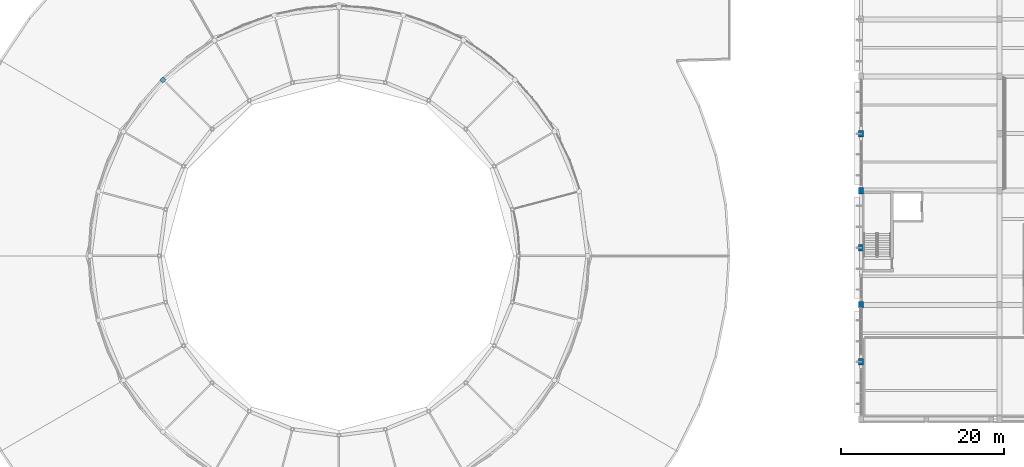
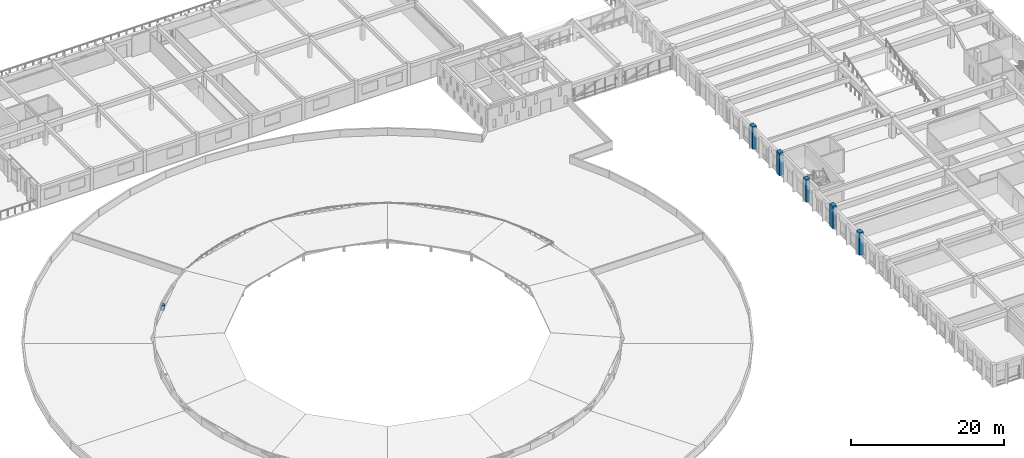
# One storey, part 6 of 77: 6 columns.
"""IFC4 building model written with IfcOpenShell, lengths in metres."""

import ifcopenshell
import ifcopenshell.guid

model = None  # the IFC model being written
_history = None  # IfcOwnerHistory: only IFC2X3 demands one
_inside = {}  # id of a spatial element -> (the spatial element, [elements in it])
_under = {}  # id of a project, library or spatial element -> (it, [spatial elements below it])
_declared = {}  # id of a project -> (the project, [libraries it declares])
_typed = {}  # id of a type object -> (the type object, [elements of that type])
_made_of = {}  # id of a material, layer set ... -> (it, [elements and type objects made of it])


def new_model(schema):
    """Start an empty IFC model of exactly this schema.

    Asked for "IFC4X3", IfcOpenShell would pick the latest addendum, in which some entities
    have other attributes; the version numbers below select the first issue.
    IFC2X3 requires an IfcOwnerHistory on every rooted entity: one is made here for all.
    """
    global model, _history
    if schema == "IFC4X3":
        model = ifcopenshell.file(schema_version=(4, 3, 0, 0))
    else:
        model = ifcopenshell.file(schema=schema)
    _inside.clear()
    _under.clear()
    _declared.clear()
    _typed.clear()
    _made_of.clear()
    _history = None
    if model.schema == "IFC2X3":
        org = make("IfcOrganization", Name="unknown")
        user = make(
            "IfcPersonAndOrganization",
            ThePerson=make("IfcPerson", FamilyName="unknown"),
            TheOrganization=org,
        )
        app = make(
            "IfcApplication",
            ApplicationDeveloper=org,
            Version="unknown",
            ApplicationFullName="unknown",
            ApplicationIdentifier="unknown",
        )
        _history = make(
            "IfcOwnerHistory",
            OwningUser=user,
            OwningApplication=app,
            ChangeAction="ADDED",
            CreationDate=0,
        )
    return model


def make(cls, **values):
    """One entity of the class cls with the attributes given. An attribute that is None is left unset."""
    return model.create_entity(
        cls, **{name: value for name, value in values.items() if value is not None}
    )


def rooted(cls, **values):
    """An entity with a GlobalId (a new one), such as an element, a storey or a relation."""
    return make(cls, GlobalId=ifcopenshell.guid.new(), OwnerHistory=_history, **values)


def si_unit(unit_type, name, prefix=None):
    """IfcSIUnit, for example si_unit("LENGTHUNIT", "METRE", prefix="MILLI")."""
    return make("IfcSIUnit", UnitType=unit_type, Prefix=prefix, Name=name)


def assignment(units):
    """IfcUnitAssignment: the units of a project."""
    return None if units is None else make("IfcUnitAssignment", Units=units)


def point(xyz):
    """IfcCartesianPoint."""
    return None if xyz is None else make("IfcCartesianPoint", Coordinates=xyz)


def direction(xyz):
    """IfcDirection."""
    return None if xyz is None else make("IfcDirection", DirectionRatios=xyz)


def frame(location, z_axis=None, x_axis=None):
    """IfcAxis2Placement3D, a coordinate frame: its origin and axes. An axis left out is left unset."""
    return make(
        "IfcAxis2Placement3D",
        Location=point(location),
        Axis=direction(z_axis),
        RefDirection=direction(x_axis),
    )


def frame_2d(location, x_axis=None):
    """IfcAxis2Placement2D, a coordinate frame in the plane: its origin and x axis."""
    return make(
        "IfcAxis2Placement2D", Location=point(location), RefDirection=direction(x_axis)
    )


def origin():
    """The frame at (0, 0, 0) with its axes left unset."""
    return frame((0.0, 0.0, 0.0))


def origin_2d():
    """The frame at (0, 0) in the plane with its x axis left unset."""
    return frame_2d((0.0, 0.0))


def place(relative_to, where):
    """IfcLocalPlacement: puts the frame where relative to a parent placement (None: the world)."""
    return make(
        "IfcLocalPlacement", PlacementRelTo=relative_to, RelativePlacement=where
    )


def context(
    kind, dimensions, precision=None, world=None, true_north=None, identifier=None
):
    """IfcGeometricRepresentationContext, for example the 3D "Model" context."""
    return make(
        "IfcGeometricRepresentationContext",
        ContextIdentifier=identifier,
        ContextType=kind,
        CoordinateSpaceDimension=dimensions,
        Precision=precision,
        WorldCoordinateSystem=world,
        TrueNorth=true_north,
    )


def subcontext(parent, identifier, kind, view, scale=None):
    """IfcGeometricRepresentationSubContext, for example "Body" below "Model"."""
    return make(
        "IfcGeometricRepresentationSubContext",
        ContextIdentifier=identifier,
        ContextType=kind,
        ParentContext=parent,
        TargetScale=scale,
        TargetView=view,
    )


def project(units=None, contexts=None):
    """IfcProject with its units and contexts."""
    return rooted(
        "IfcProject",
        Name="project",
        RepresentationContexts=contexts,
        UnitsInContext=assignment(units),
    )


def spatial(cls, under=None, at=None, **own):
    """A site, building, storey or space (cls), placed at a placement, below another one or the project."""
    s = rooted(cls, ObjectPlacement=at, **own)
    if under is not None:
        _under.setdefault(under.id(), (under, []))[1].append(s)
    return s


def profile(cls, at=None, kind="AREA", **sizes):
    """A parametric profile (cls). Its sizes go by their IFC names, for example OverallWidth=200.0."""
    return make(cls, ProfileType=kind, Position=at, **sizes)


def rectangle(**sizes):
    """IfcRectangleProfileDef."""
    return profile("IfcRectangleProfileDef", **sizes)


def circle(**sizes):
    """IfcCircleProfileDef."""
    return profile("IfcCircleProfileDef", **sizes)


def extrude(swept, where, along, depth):
    """IfcExtrudedAreaSolid: the profile swept, set in the frame where, extruded along a direction by depth."""
    return make(
        "IfcExtrudedAreaSolid",
        SweptArea=swept,
        Position=where,
        ExtrudedDirection=direction(along),
        Depth=depth,
    )


def shape(context_of_items, identifier, shape_type, items):
    """IfcShapeRepresentation: the items that make up one representation, for example the "Body"."""
    return make(
        "IfcShapeRepresentation",
        ContextOfItems=context_of_items,
        RepresentationIdentifier=identifier,
        RepresentationType=shape_type,
        Items=items,
    )


def material(Name=None, Category=None):
    """IfcMaterial."""
    return make("IfcMaterial", Name=Name, Category=Category)


def material_profile(
    of_material, cross_section, Name=None, Category=None, Priority=None
):
    """IfcMaterialProfile: a cross section and its material."""
    return make(
        "IfcMaterialProfile",
        Name=Name,
        Material=of_material,
        Profile=cross_section,
        Priority=Priority,
        Category=Category,
    )


def profile_set(profiles, Name=None, composite=None):
    """IfcMaterialProfileSet."""
    return make(
        "IfcMaterialProfileSet",
        Name=Name,
        MaterialProfiles=profiles,
        CompositeProfile=composite,
    )


def made_of(thing, what):
    """Note that an element or type object is made of a material, layer set ...; save() writes the relation."""
    if what is not None:
        _made_of.setdefault(what.id(), (what, []))[1].append(thing)
    return thing


def type_object(cls, material=None, **own):
    """A type object (cls), such as IfcWallType, which elements share."""
    return made_of(rooted(cls, **own), material)


def element(
    cls,
    number,
    at=None,
    inside=None,
    cuts=None,
    type_object=None,
    material=None,
    context=None,
    identifier="Body",
    shape_type=None,
    held_by="IfcProductDefinitionShape",
    body=None,
    shapes=None,
    **own,
):
    """One element of the class cls, such as IfcWall. Its Tag is "e" and its number.

    at: its placement. inside: the storey or other place that contains it. cuts: it is an
    opening in that element (IfcRelVoidsElement). A single representation is given by context,
    identifier, shape_type and body (its items); several are given by shapes. held_by: the class
    of the entity that holds the representations. save() writes the other relations.
    """
    e = rooted(cls, Tag="e%d" % number, ObjectPlacement=at, **own)
    if body is not None:
        shapes = [shape(context, identifier, shape_type, body)]
    if shapes is not None:
        e.Representation = make(held_by, Representations=shapes)
    if inside is not None:
        _inside.setdefault(inside.id(), (inside, []))[1].append(e)
    if cuts is not None:
        rooted(
            "IfcRelVoidsElement", RelatingBuildingElement=cuts, RelatedOpeningElement=e
        )
    if type_object is not None:
        _typed.setdefault(type_object.id(), (type_object, []))[1].append(e)
    return made_of(e, material)


def aggregate(whole, parts):
    """IfcRelAggregates: a whole, such as a stair, and the parts it consists of."""
    return rooted("IfcRelAggregates", RelatingObject=whole, RelatedObjects=parts)


def save(model, path):
    """Write the relations noted so far, then the file.

    IfcRelAggregates (storeys below a building ...), IfcRelContainedInSpatialStructure (elements
    in a storey), IfcRelDefinesByType, IfcRelAssociatesMaterial and IfcRelDeclares: one each for
    every whole, place, type object, material and project.
    """
    for whole, parts in _under.values():
        aggregate(whole, parts)
    for where, things in _inside.values():
        rooted(
            "IfcRelContainedInSpatialStructure",
            RelatedElements=things,
            RelatingStructure=where,
        )
    for kind, things in _typed.values():
        rooted("IfcRelDefinesByType", RelatedObjects=things, RelatingType=kind)
    for what, things in _made_of.values():
        rooted("IfcRelAssociatesMaterial", RelatedObjects=things, RelatingMaterial=what)
    for by, libraries in _declared.values():
        rooted("IfcRelDeclares", RelatingContext=by, RelatedDefinitions=libraries)
    model.write(path)


model = new_model("IFC4")

# Units and contexts
model_context = context("Model", 3, precision=1e-05, world=origin(), true_north=direction((0.0, 1.0)))
body_context = subcontext(model_context, "Body", "Model", "MODEL_VIEW")
ifc_project = project(units=[si_unit("LENGTHUNIT", "METRE"), si_unit("AREAUNIT", "SQUARE_METRE"), si_unit("VOLUMEUNIT", "CUBIC_METRE"), si_unit("PLANEANGLEUNIT", "RADIAN"), si_unit("MASSUNIT", "GRAM", prefix="KILO")], contexts=[model_context])

# Site, building, storey
site_placement = place(None, origin())
site = spatial("IfcSite", under=ifc_project, at=site_placement, CompositionType="ELEMENT")
building_placement = place(site_placement, origin())
building = spatial("IfcBuilding", under=site, at=building_placement, Name="Larkveld Mobility Hub", CompositionType="ELEMENT")
storey_placement = place(building_placement, frame((0.0, 0.0, 12.0)))
storey = spatial("IfcBuildingStorey", under=building, at=storey_placement, Name="L03", CompositionType="ELEMENT", Elevation=12.0)

# Columns
ifc_material_1 = material(Name="Precast concrete C50/60", Category="concrete")
ifc_material_profile_1 = material_profile(ifc_material_1, rectangle(XDim=0.60009765625, YDim=0.800048828125, at=origin_2d()), Name="RC COL 600x800")
ifc_profile_set_1 = profile_set([ifc_material_profile_1], Name="Precast concrete C50/60")
column_type_1 = type_object("IfcColumnType", Name="CL-PC6080", PredefinedType="COLUMN", material=ifc_profile_set_1)
for number, where, z_axis, x_axis, name in (
    (1, (112.0, 35.0, 0.0), (0.0, 0.0, 1.0), (1.0, 0.0, 0.0), "Column EV-X112-Y35 (L03)"),
    (2, (112.0, 42.0, 0.0), (0.0, 0.0, 1.0), (1.0, 0.0, 0.0), "Column EV-X112-Y42 (L03)"),
    (3, (112.0, 49.0, 0.0), (0.0, 0.0, 1.0), (1.0, 0.0, 0.0), "Column EV-X112-Y49 (L03)"),
    (4, (112.0, 56.0, 0.0), (0.0, 0.0, 1.0), (1.0, 0.0, 0.0), "Column EV-X112-Y56 (L03)"),
    (5, (112.0, 63.0, 0.0), (0.0, 0.0, 1.0), (1.0, 0.0, 0.0), "Column EV-X112-Y63 (L03)"),
):
    element("IfcColumn", number, at=place(storey_placement, frame(where, z_axis=z_axis, x_axis=x_axis)), inside=storey, type_object=column_type_1, Name=name, PredefinedType="COLUMN", context=body_context, shape_type="SweptSolid", body=[
        extrude(rectangle(XDim=0.60009765625, YDim=0.800048828125, at=origin_2d()), origin(), (0.0, 0.0, 1.0), 3.60009765625),
    ])
ifc_material_2 = material(Name="Concrete C40/50", Category="concrete")
ifc_material_profile_2 = material_profile(ifc_material_2, circle(Radius=0.300048828125, at=origin_2d()), Name="RC COL D600")
ifc_profile_set_2 = profile_set([ifc_material_profile_2], Name="Concrete C40/50")
column_type_2 = type_object("IfcColumnType", Name="CL-RCD600", PredefinedType="COLUMN", material=ifc_profile_set_2)
column_placement = place(storey_placement, frame((26.43310546875, 69.56689453125, 0.0), z_axis=(0.0, 0.0, 1.0), x_axis=(1.0, 0.0, 0.0)))
element("IfcColumn", 6, at=column_placement, inside=storey, type_object=column_type_2, Name="Column DRM-R30-K18 (L03)", PredefinedType="COLUMN", context=body_context, shape_type="SweptSolid", body=[
    extrude(circle(Radius=0.300048828125, at=origin_2d()), origin(), (0.0, 0.0, 1.0), 0.820068359375),
])

save(model, "model.ifc")
